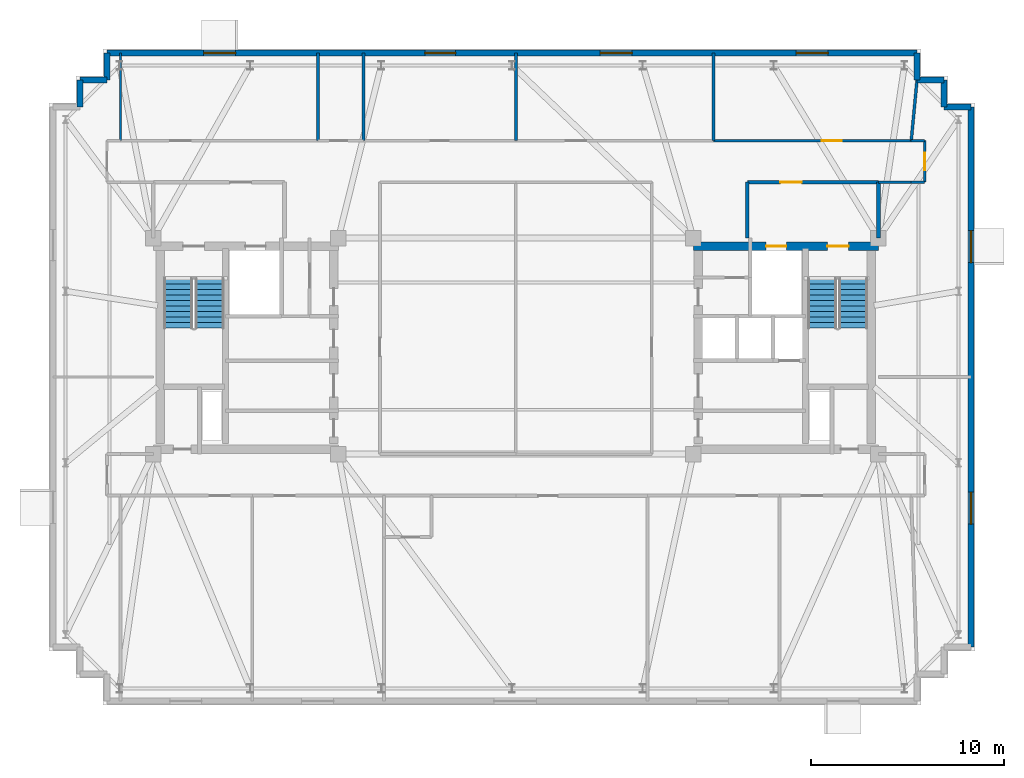
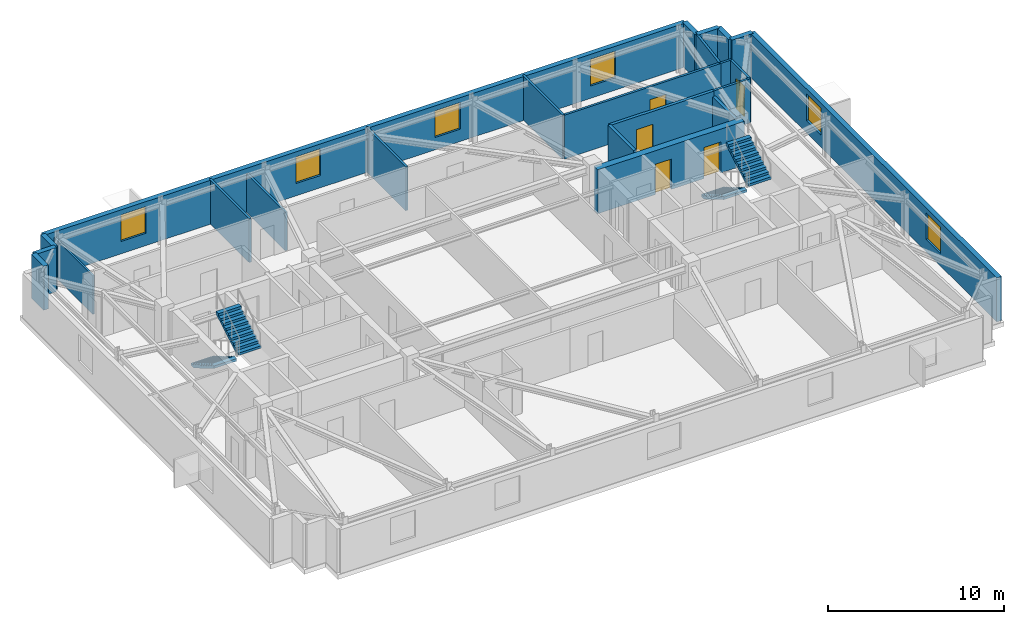
# One storey, part 8 of 10: 24 walls, 6 windows, 5 doors, 4 stair flights, 11 openings, 2 elements without a shape of their own.
"""IFC4 building model written with IfcOpenShell, lengths in metres."""

from ifc_helpers import new_model, si_unit, direction, frame, frame_2d, origin, place, context, subcontext, project, spatial, polyline, rectangle, outline, extrude, material, layer, layer_set, type_object, element, fill, aggregate, save


model = new_model("IFC4")

# Units and contexts
model_context = context("Model", 3, precision=1e-05, world=origin(), true_north=direction((0.0, 1.0)))
body_context = subcontext(model_context, "Body", "Model", "MODEL_VIEW")
ifc_project = project(units=[si_unit("LENGTHUNIT", "METRE"), si_unit("AREAUNIT", "SQUARE_METRE"), si_unit("VOLUMEUNIT", "CUBIC_METRE"), si_unit("PLANEANGLEUNIT", "RADIAN"), si_unit("MASSUNIT", "GRAM", prefix="KILO")], contexts=[model_context])

# Site, building, storey
site_placement = place(None, origin())
site = spatial("IfcSite", under=ifc_project, at=site_placement, CompositionType="ELEMENT")
building_placement = place(site_placement, origin())
building = spatial("IfcBuilding", under=site, at=building_placement, Name="Qobustan Lattice House", CompositionType="ELEMENT")
storey_placement = place(building_placement, frame((0.0, 0.0, 238.35009765625)))
storey = spatial("IfcBuildingStorey", under=building, at=storey_placement, Name="L67", CompositionType="ELEMENT", Elevation=238.35009765625)

# Wall, openings, doors
ifc_material_1 = material(Name="Concrete C50/60", Category="concrete")
ifc_layer_1 = layer(ifc_material_1, 0.43994140625)
ifc_layer_set_1 = layer_set([ifc_layer_1], Name="Concrete C50/60")
wall_type_1 = type_object("IfcWallType", Name="WAL-CORE-440", PredefinedType="SHEAR", material=ifc_layer_set_1)
wall_1_placement = place(storey_placement, frame((9.199951171875, 5.179931640625, 0.0), z_axis=(0.0, 0.0, 1.0), x_axis=(1.0, 0.0, 0.0)))
wall_1 = element("IfcWall", 1, at=wall_1_placement, inside=storey, type_object=wall_type_1, Name="L67 split-core shear wall CE-N", PredefinedType="SHEAR", context=body_context, shape_type="SweptSolid", body=[
    extrude(rectangle(XDim=9.60009765625, YDim=0.43994140625, at=frame_2d((4.800048828125, 0.0))), origin(), (0.0, 0.0, 1.0), 3.039794921875),
])
opening_1_placement = place(wall_1_placement, frame((6.949951171875, 0.0, 0.0)))
opening_1 = element("IfcOpeningElement", 2, at=opening_1_placement, cuts=wall_1, Name="Opening SD-01", PredefinedType="OPENING", context=body_context, shape_type="SweptSolid", body=[
    extrude(rectangle(XDim=1.10009765625, YDim=2.14990234375, at=frame_2d((0.550048828125, 1.074951171875))), frame((0.0, 0.22998046875, 0.0), z_axis=(0.0, -1.0, 0.0), x_axis=(1.0, 0.0, 0.0)), (0.0, 0.0, 1.0), 0.4599609375),
])
opening_2_placement = place(wall_1_placement, frame((3.77490234375, 0.0, 0.0)))
opening_2 = element("IfcOpeningElement", 3, at=opening_2_placement, cuts=wall_1, Name="Opening LD-01", PredefinedType="OPENING", context=body_context, shape_type="SweptSolid", body=[
    extrude(rectangle(XDim=1.050048828125, YDim=2.10009765625, at=frame_2d((0.52490234375, 1.050048828125))), frame((0.0, 0.22998046875, 0.0), z_axis=(0.0, -1.0, 0.0), x_axis=(1.0, 0.0, 0.0)), (0.0, 0.0, 1.0), 0.4599609375),
])
ifc_material_2 = material(Name="Persian walnut timber and steel frame door", Category="steel")
door_type_1 = type_object("IfcDoorType", Name="DOR-LIFT-LD-1050x2100", OperationType="NOTDEFINED", PredefinedType="DOOR", material=ifc_material_2)
door_1_placement = place(opening_2_placement, origin())
door_1 = element("IfcDoor", 4, at=door_1_placement, inside=storey, type_object=door_type_1, Name="L67 firefighting lift FF-E landing door", OperationType="DOUBLE_DOOR_SLIDING", OverallHeight=2.10009765625, OverallWidth=1.050048828125, PredefinedType="DOOR", context=body_context, shape_type="SweptSolid", body=[
    extrude(rectangle(XDim=1.050048828125, YDim=2.10009765625, at=frame_2d((0.52490234375, 1.050048828125))), frame((0.0, 0.02490234375, 0.0), z_axis=(0.0, -1.0, 0.0), x_axis=(1.0, 0.0, 0.0)), (0.0, 0.0, 1.0), 0.050048828125),
])
fill(opening_2, door_1)
ifc_material_3 = material(Name="Persian walnut timber and steel frame door", Category="steel")
door_type_2 = type_object("IfcDoorType", Name="DOR-STAIR-FD-1100x2150", OperationType="NOTDEFINED", PredefinedType="DOOR", material=ifc_material_3)
door_2_placement = place(opening_1_placement, origin())
door_2 = element("IfcDoor", 5, at=door_2_placement, inside=storey, type_object=door_type_2, Name="L67 exit stair ST-E1 fire door", OperationType="SINGLE_SWING_LEFT", OverallHeight=2.14990234375, OverallWidth=1.10009765625, PredefinedType="DOOR", context=body_context, shape_type="SweptSolid", body=[
    extrude(rectangle(XDim=1.10009765625, YDim=2.14990234375, at=frame_2d((0.550048828125, 1.074951171875))), frame((0.0, 0.02490234375, 0.0), z_axis=(0.0, -1.0, 0.0), x_axis=(1.0, 0.0, 0.0)), (0.0, 0.0, 1.0), 0.050048828125),
])
fill(opening_1, door_2)

# Walls
ifc_material_4 = material(Name="Precast concrete C40/50", Category="concrete")
ifc_layer_2 = layer(ifc_material_4, 0.320068359375)
ifc_layer_set_2 = layer_set([ifc_layer_2], Name="Precast concrete C40/50")
wall_type_2 = type_object("IfcWallType", Name="WAL-EXT-STONE-320", PredefinedType="SOLIDWALL", material=ifc_layer_set_2)
for number, where, z_axis, x_axis, name in (
    (6, (-22.60009765625, 12.39990234375, 0.0), (0.0, 0.0, 1.0), (0.0, 1.0, 0.0), "L67 exterior limestone-clad wall 7"),
    (7, (-22.60009765625, 13.800048828125, 0.0), (0.0, 0.0, 1.0), (1.0, 0.0, 0.0), "L67 exterior limestone-clad wall 8"),
):
    element("IfcWall", number, at=place(storey_placement, frame(where, z_axis=z_axis, x_axis=x_axis)), inside=storey, type_object=wall_type_2, Name=name, PredefinedType="SOLIDWALL", context=body_context, shape_type="SweptSolid", body=[
        extrude(rectangle(XDim=1.400146484375, YDim=0.320068359375, at=frame_2d((0.7001953125, 0.0))), origin(), (0.0, 0.0, 1.0), 3.039794921875),
    ])
wall_2_placement = place(storey_placement, frame((-21.199951171875, 13.800048828125, 0.0), z_axis=(0.0, 0.0, 1.0), x_axis=(0.0, 1.0, 0.0)))
element("IfcWall", 8, at=wall_2_placement, inside=storey, type_object=wall_type_2, Name="L67 exterior limestone-clad wall 9", PredefinedType="SOLIDWALL", context=body_context, shape_type="SweptSolid", body=[
    extrude(rectangle(XDim=1.39990234375, YDim=0.320068359375, at=frame_2d((0.699951171875, 0.0))), origin(), (0.0, 0.0, 1.0), 3.039794921875),
])

# Wall, openings, windows
wall_3_placement = place(storey_placement, frame((-21.199951171875, 15.199951171875, 0.0), z_axis=(0.0, 0.0, 1.0), x_axis=(1.0, 0.0, 0.0)))
wall_3 = element("IfcWall", 9, at=wall_3_placement, inside=storey, type_object=wall_type_2, Name="L67 exterior limestone-clad wall 10", PredefinedType="SOLIDWALL", context=body_context, shape_type="SweptSolid", body=[
    extrude(rectangle(XDim=42.0, YDim=0.320068359375, at=frame_2d((21.0, 0.0))), origin(), (0.0, 0.0, 1.0), 3.039794921875),
])
opening_3_placement = place(wall_3_placement, frame((5.014892578125, 0.0, 0.85009765625)))
opening_3 = element("IfcOpeningElement", 10, at=opening_3_placement, cuts=wall_3, Name="Opening WN-09", PredefinedType="OPENING", context=body_context, shape_type="SweptSolid", body=[
    extrude(rectangle(XDim=1.64990234375, YDim=1.85009765625, at=frame_2d((0.824951171875, 0.925048828125))), frame((0.0, 0.169921875, 0.0), z_axis=(0.0, -1.0, 0.0), x_axis=(1.0, 0.0, 0.0)), (0.0, 0.0, 1.0), 0.340087890625),
])
opening_4_placement = place(wall_3_placement, frame((16.47998046875, 0.0, 0.85009765625)))
opening_4 = element("IfcOpeningElement", 11, at=opening_4_placement, cuts=wall_3, Name="Opening WN-13", PredefinedType="OPENING", context=body_context, shape_type="SweptSolid", body=[
    extrude(rectangle(XDim=1.60009765625, YDim=1.85009765625, at=frame_2d((0.800048828125, 0.925048828125))), frame((0.0, 0.169921875, 0.0), z_axis=(0.0, -1.0, 0.0), x_axis=(1.0, 0.0, 0.0)), (0.0, 0.0, 1.0), 0.340087890625),
])
opening_5_placement = place(wall_3_placement, frame((25.574951171875, 0.0, 0.85009765625)))
opening_5 = element("IfcOpeningElement", 12, at=opening_5_placement, cuts=wall_3, Name="Opening WN-09", PredefinedType="OPENING", context=body_context, shape_type="SweptSolid", body=[
    extrude(rectangle(XDim=1.64990234375, YDim=1.85009765625, at=frame_2d((0.824951171875, 0.925048828125))), frame((0.0, 0.169921875, 0.0), z_axis=(0.0, -1.0, 0.0), x_axis=(1.0, 0.0, 0.0)), (0.0, 0.0, 1.0), 0.340087890625),
])
opening_6_placement = place(wall_3_placement, frame((35.735107421875, 0.0, 0.85009765625)))
opening_6 = element("IfcOpeningElement", 13, at=opening_6_placement, cuts=wall_3, Name="Opening WN-09", PredefinedType="OPENING", context=body_context, shape_type="SweptSolid", body=[
    extrude(rectangle(XDim=1.64990234375, YDim=1.85009765625, at=frame_2d((0.824951171875, 0.925048828125))), frame((0.0, 0.169921875, 0.0), z_axis=(0.0, -1.0, 0.0), x_axis=(1.0, 0.0, 0.0)), (0.0, 0.0, 1.0), 0.340087890625),
])
ifc_material_5 = material(Name="Double-glazed low-E aluminium window", Category="aluminium")
window_type_1 = type_object("IfcWindowType", Name="WIN-BED-1600x1850", PartitioningType="SINGLE_PANEL", PredefinedType="WINDOW", material=ifc_material_5)
window_1_placement = place(opening_4_placement, origin())
window_1 = element("IfcWindow", 14, at=window_1_placement, inside=storey, type_object=window_type_1, Name="L67 Laundry utility room window", OverallHeight=1.85009765625, OverallWidth=1.60009765625, PartitioningType="SINGLE_PANEL", PredefinedType="WINDOW", context=body_context, shape_type="SweptSolid", body=[
    extrude(rectangle(XDim=1.60009765625, YDim=1.85009765625, at=frame_2d((0.800048828125, 0.925048828125))), frame((0.0, 0.030029296875, 0.0), z_axis=(0.0, -1.0, 0.0), x_axis=(1.0, 0.0, 0.0)), (0.0, 0.0, 1.0), 0.06005859375),
])
fill(opening_4, window_1)
ifc_material_6 = material(Name="Double-glazed low-E aluminium window", Category="aluminium")
window_type_2 = type_object("IfcWindowType", Name="WIN-STU-1650x1850", PartitioningType="SINGLE_PANEL", PredefinedType="WINDOW", material=ifc_material_6)
window_2_placement = place(opening_3_placement, origin())
window_2 = element("IfcWindow", 15, at=window_2_placement, inside=storey, type_object=window_type_2, Name="L67 Focus study room N1 window", OverallHeight=1.85009765625, OverallWidth=1.64990234375, PartitioningType="SINGLE_PANEL", PredefinedType="WINDOW", context=body_context, shape_type="SweptSolid", body=[
    extrude(rectangle(XDim=1.64990234375, YDim=1.85009765625, at=frame_2d((0.824951171875, 0.925048828125))), frame((0.0, 0.030029296875, 0.0), z_axis=(0.0, -1.0, 0.0), x_axis=(1.0, 0.0, 0.0)), (0.0, 0.0, 1.0), 0.06005859375),
])
fill(opening_3, window_2)
window_3_placement = place(opening_5_placement, origin())
window_3 = element("IfcWindow", 16, at=window_3_placement, inside=storey, type_object=window_type_2, Name="L67 Focus study room N3 window", OverallHeight=1.85009765625, OverallWidth=1.64990234375, PartitioningType="SINGLE_PANEL", PredefinedType="WINDOW", context=body_context, shape_type="SweptSolid", body=[
    extrude(rectangle(XDim=1.64990234375, YDim=1.85009765625, at=frame_2d((0.824951171875, 0.925048828125))), frame((0.0, 0.030029296875, 0.0), z_axis=(0.0, -1.0, 0.0), x_axis=(1.0, 0.0, 0.0)), (0.0, 0.0, 1.0), 0.06005859375),
])
fill(opening_5, window_3)
window_4_placement = place(opening_6_placement, origin())
window_4 = element("IfcWindow", 17, at=window_4_placement, inside=storey, type_object=window_type_2, Name="L67 Focus study room N4 window", OverallHeight=1.85009765625, OverallWidth=1.64990234375, PartitioningType="SINGLE_PANEL", PredefinedType="WINDOW", context=body_context, shape_type="SweptSolid", body=[
    extrude(rectangle(XDim=1.64990234375, YDim=1.85009765625, at=frame_2d((0.824951171875, 0.925048828125))), frame((0.0, 0.030029296875, 0.0), z_axis=(0.0, -1.0, 0.0), x_axis=(1.0, 0.0, 0.0)), (0.0, 0.0, 1.0), 0.06005859375),
])
fill(opening_6, window_4)

# Walls
for number, where, z_axis, x_axis, name in (
    (18, (20.800048828125, 15.199951171875, 0.0), (0.0, 0.0, 1.0), (0.0, -1.0, 0.0), "L67 exterior limestone-clad wall 11"),
    (19, (20.800048828125, 13.800048828125, 0.0), (0.0, 0.0, 1.0), (1.0, 0.0, 0.0), "L67 exterior limestone-clad wall 12"),
):
    element("IfcWall", number, at=place(storey_placement, frame(where, z_axis=z_axis, x_axis=x_axis)), inside=storey, type_object=wall_type_2, Name=name, PredefinedType="SOLIDWALL", context=body_context, shape_type="SweptSolid", body=[
        extrude(rectangle(XDim=1.39990234375, YDim=0.320068359375, at=frame_2d((0.699951171875, 0.0))), origin(), (0.0, 0.0, 1.0), 3.039794921875),
    ])
for number, where, z_axis, x_axis, name in (
    (20, (22.199951171875, 13.800048828125, 0.0), (0.0, 0.0, 1.0), (0.0, -1.0, 0.0), "L67 exterior limestone-clad wall 13"),
    (21, (22.199951171875, 12.39990234375, 0.0), (0.0, 0.0, 1.0), (1.0, 0.0, 0.0), "L67 exterior limestone-clad wall 14"),
):
    element("IfcWall", number, at=place(storey_placement, frame(where, z_axis=z_axis, x_axis=x_axis)), inside=storey, type_object=wall_type_2, Name=name, PredefinedType="SOLIDWALL", context=body_context, shape_type="SweptSolid", body=[
        extrude(rectangle(XDim=1.400146484375, YDim=0.320068359375, at=frame_2d((0.7001953125, 0.0))), origin(), (0.0, 0.0, 1.0), 3.039794921875),
    ])

# Wall, openings, windows
wall_4_placement = place(storey_placement, frame((23.60009765625, 12.39990234375, 0.0), z_axis=(0.0, 0.0, 1.0), x_axis=(0.0, -1.0, 0.0)))
wall_4 = element("IfcWall", 22, at=wall_4_placement, inside=storey, type_object=wall_type_2, Name="L67 exterior limestone-clad wall 15", PredefinedType="SOLIDWALL", context=body_context, shape_type="SweptSolid", body=[
    extrude(rectangle(XDim=28.0, YDim=0.320068359375, at=frame_2d((14.0, 0.0))), origin(), (0.0, 0.0, 1.0), 3.039794921875),
])
opening_7_placement = place(wall_4_placement, frame((6.4150390625, 0.0, 0.85009765625)))
opening_7 = element("IfcOpeningElement", 23, at=opening_7_placement, cuts=wall_4, Name="Opening WN-09", PredefinedType="OPENING", context=body_context, shape_type="SweptSolid", body=[
    extrude(rectangle(XDim=1.64990234375, YDim=1.85009765625, at=frame_2d((0.824951171875, 0.925048828125))), frame((0.0, 0.169921875, 0.0), z_axis=(0.0, -1.0, 0.0), x_axis=(1.0, 0.0, 0.0)), (0.0, 0.0, 1.0), 0.340087890625),
])
opening_8_placement = place(wall_4_placement, frame((19.97509765625, 0.0, 0.85009765625)))
opening_8 = element("IfcOpeningElement", 24, at=opening_8_placement, cuts=wall_4, Name="Opening WN-09", PredefinedType="OPENING", context=body_context, shape_type="SweptSolid", body=[
    extrude(rectangle(XDim=1.64990234375, YDim=1.85009765625, at=frame_2d((0.824951171875, 0.925048828125))), frame((0.0, 0.169921875, 0.0), z_axis=(0.0, -1.0, 0.0), x_axis=(1.0, 0.0, 0.0)), (0.0, 0.0, 1.0), 0.340087890625),
])
window_5_placement = place(opening_7_placement, origin())
window_5 = element("IfcWindow", 25, at=window_5_placement, inside=storey, type_object=window_type_2, Name="L67 Collaborative tutorial room window", OverallHeight=1.85009765625, OverallWidth=1.64990234375, PartitioningType="SINGLE_PANEL", PredefinedType="WINDOW", context=body_context, shape_type="SweptSolid", body=[
    extrude(rectangle(XDim=1.64990234375, YDim=1.85009765625, at=frame_2d((0.824951171875, 0.925048828125))), frame((0.0, 0.030029296875, 0.0), z_axis=(0.0, -1.0, 0.0), x_axis=(1.0, 0.0, 0.0)), (0.0, 0.0, 1.0), 0.06005859375),
])
fill(opening_7, window_5)
window_6_placement = place(opening_8_placement, origin())
window_6 = element("IfcWindow", 26, at=window_6_placement, inside=storey, type_object=window_type_2, Name="L67 Fellows reading room window", OverallHeight=1.85009765625, OverallWidth=1.64990234375, PartitioningType="SINGLE_PANEL", PredefinedType="WINDOW", context=body_context, shape_type="SweptSolid", body=[
    extrude(rectangle(XDim=1.64990234375, YDim=1.85009765625, at=frame_2d((0.824951171875, 0.925048828125))), frame((0.0, 0.030029296875, 0.0), z_axis=(0.0, -1.0, 0.0), x_axis=(1.0, 0.0, 0.0)), (0.0, 0.0, 1.0), 0.06005859375),
])
fill(opening_8, window_6)

# Wall
ifc_material_7 = material(Name="Lightweight acoustic stud partition", Category="gypsum")
ifc_layer_3 = layer(ifc_material_7, 0.125)
ifc_layer_set_3 = layer_set([ifc_layer_3], Name="Lightweight acoustic stud partition")
wall_type_3 = type_object("IfcWallType", Name="WAL-PART-125", PredefinedType="PARTITIONING", material=ifc_layer_set_3)
wall_5_placement = place(storey_placement, frame((-20.5, 15.199951171875, 0.0), z_axis=(0.0, 0.0, 1.0), x_axis=(0.0, -1.0, 0.0)))
element("IfcWall", 27, at=wall_5_placement, inside=storey, type_object=wall_type_3, Name="L67 interior partition 67", PredefinedType="PARTITIONING", context=body_context, shape_type="SweptSolid", body=[
    extrude(rectangle(XDim=4.550048828125, YDim=0.125, at=frame_2d((2.27490234375, 0.0))), origin(), (0.0, 0.0, 1.0), 2.664794921875),
])

# Wall, opening, door
ifc_material_8 = material(Name="Acoustic twin-stud gypsum partition", Category="gypsum")
ifc_layer_4 = layer(ifc_material_8, 0.14990234375)
ifc_layer_set_4 = layer_set([ifc_layer_4], Name="Acoustic twin-stud gypsum partition")
wall_type_4 = type_object("IfcWallType", Name="WAL-PART-150", PredefinedType="PARTITIONING", material=ifc_layer_set_4)
wall_6_placement = place(storey_placement, frame((21.199951171875, 10.64990234375, 0.0), z_axis=(0.0, 0.0, 1.0), x_axis=(0.0, -1.0, 0.0)))
wall_6 = element("IfcWall", 28, at=wall_6_placement, inside=storey, type_object=wall_type_4, Name="L67 interior partition 39", PredefinedType="PARTITIONING", context=body_context, shape_type="SweptSolid", body=[
    extrude(rectangle(XDim=2.14990234375, YDim=0.14990234375, at=frame_2d((1.074951171875, 0.0))), origin(), (0.0, 0.0, 1.0), 3.039794921875),
])
opening_9_placement = place(wall_6_placement, frame((0.625, 0.0, 0.0)))
opening_9 = element("IfcOpeningElement", 29, at=opening_9_placement, cuts=wall_6, Name="Opening WD-01", PredefinedType="OPENING", context=body_context, shape_type="SweptSolid", body=[
    extrude(rectangle(XDim=0.89990234375, YDim=2.10009765625, at=frame_2d((0.449951171875, 1.050048828125))), frame((0.0, 0.0849609375, 0.0), z_axis=(0.0, -1.0, 0.0), x_axis=(1.0, 0.0, 0.0)), (0.0, 0.0, 1.0), 0.169921875),
])
ifc_material_9 = material(Name="Persian walnut timber and steel frame door", Category="steel")
door_type_3 = type_object("IfcDoorType", Name="DOR-WET-900x2100", OperationType="NOTDEFINED", PredefinedType="DOOR", material=ifc_material_9)
door_3_placement = place(opening_9_placement, origin())
door_3 = element("IfcDoor", 30, at=door_3_placement, inside=storey, type_object=door_type_3, Name="L67 North-east floor corridor to Collaborative tutorial room door", OperationType="SINGLE_SWING_LEFT", OverallHeight=2.10009765625, OverallWidth=0.89990234375, PredefinedType="DOOR", context=body_context, shape_type="SweptSolid", body=[
    extrude(rectangle(XDim=0.89990234375, YDim=2.10009765625, at=frame_2d((0.449951171875, 1.050048828125))), frame((0.0, 0.02490234375, 0.0), z_axis=(0.0, -1.0, 0.0), x_axis=(1.0, 0.0, 0.0)), (0.0, 0.0, 1.0), 0.050048828125),
])
fill(opening_9, door_3)

# Walls
wall_7_placement = place(storey_placement, frame((20.5, 8.5, 0.0), z_axis=(0.0, 0.0, 1.0), x_axis=(-1.0, 0.0, 0.0)))
element("IfcWall", 31, at=wall_7_placement, inside=storey, type_object=wall_type_4, Name="L67 interior partition 40", PredefinedType="PARTITIONING", context=body_context, shape_type="SweptSolid", body=[
    extrude(rectangle(XDim=1.699951171875, YDim=0.14990234375, at=frame_2d((0.85009765625, 0.0))), origin(), (0.0, 0.0, 1.0), 3.039794921875),
])
for number, where, z_axis, x_axis, name in (
    (32, (20.5, 10.64990234375, 0.0), (0.0, 0.0, 1.0), (1.0, 0.0, 0.0), "L67 interior partition 41"),
    (33, (21.199951171875, 8.5, 0.0), (0.0, 0.0, 1.0), (-1.0, 0.0, 0.0), "L67 interior partition 42"),
):
    element("IfcWall", number, at=place(storey_placement, frame(where, z_axis=z_axis, x_axis=x_axis)), inside=storey, type_object=wall_type_4, Name=name, PredefinedType="PARTITIONING", context=body_context, shape_type="SweptSolid", body=[
        extrude(rectangle(XDim=0.699951171875, YDim=0.14990234375, at=frame_2d((0.35009765625, 0.0))), origin(), (0.0, 0.0, 1.0), 3.039794921875),
    ])

# Wall, opening, door
wall_8_placement = place(storey_placement, frame((10.25, 10.64990234375, 0.0), z_axis=(0.0, 0.0, 1.0), x_axis=(1.0, 0.0, 0.0)))
wall_8 = element("IfcWall", 34, at=wall_8_placement, inside=storey, type_object=wall_type_4, Name="L67 interior partition 44", PredefinedType="PARTITIONING", context=body_context, shape_type="SweptSolid", body=[
    extrude(rectangle(XDim=10.25, YDim=0.14990234375, at=frame_2d((5.125, 0.0))), origin(), (0.0, 0.0, 1.0), 3.039794921875),
])
opening_10_placement = place(wall_8_placement, frame((5.60498046875, 0.0, 0.0)))
opening_10 = element("IfcOpeningElement", 35, at=opening_10_placement, cuts=wall_8, Name="Opening ID-02", PredefinedType="OPENING", context=body_context, shape_type="SweptSolid", body=[
    extrude(rectangle(XDim=1.050048828125, YDim=2.14990234375, at=frame_2d((0.52490234375, 1.074951171875))), frame((0.0, 0.0849609375, 0.0), z_axis=(0.0, -1.0, 0.0), x_axis=(1.0, 0.0, 0.0)), (0.0, 0.0, 1.0), 0.169921875),
])
ifc_material_10 = material(Name="Persian walnut timber and steel frame door", Category="steel")
door_type_4 = type_object("IfcDoorType", Name="DOR-STUDY-1050x2150", OperationType="NOTDEFINED", PredefinedType="DOOR", material=ifc_material_10)
door_4_placement = place(opening_10_placement, origin())
door_4 = element("IfcDoor", 36, at=door_4_placement, inside=storey, type_object=door_type_4, Name="L67 North-east floor corridor to Focus study room N4 door", OperationType="SINGLE_SWING_LEFT", OverallHeight=2.14990234375, OverallWidth=1.050048828125, PredefinedType="DOOR", context=body_context, shape_type="SweptSolid", body=[
    extrude(rectangle(XDim=1.050048828125, YDim=2.14990234375, at=frame_2d((0.52490234375, 1.074951171875))), frame((0.0, 0.02490234375, 0.0), z_axis=(0.0, -1.0, 0.0), x_axis=(1.0, 0.0, 0.0)), (0.0, 0.0, 1.0), 0.050048828125),
])
fill(opening_10, door_4)

# Walls
wall_9_placement = place(storey_placement, frame((20.5, 10.64990234375, 0.0), z_axis=(0.0, 0.0, 1.0), x_axis=(0.094820015289, 0.99549443228, 0.0)))
element("IfcWall", 37, at=wall_9_placement, inside=storey, type_object=wall_type_4, Name="L67 interior partition 70", PredefinedType="PARTITIONING", context=body_context, shape_type="SweptSolid", body=[
    extrude(rectangle(XDim=3.164306640625, YDim=0.14990234375, at=frame_2d((1.58203125, 0.0))), origin(), (0.0, 0.0, 1.0), 3.039794921875),
])
for number, where, z_axis, x_axis, name in (
    (38, (0.0, 15.199951171875, 0.0), (0.0, 0.0, 1.0), (0.0, -1.0, 0.0), "L67 interior partition 73"),
    (39, (10.25, 15.199951171875, 0.0), (0.0, 0.0, 1.0), (0.0, -1.0, 0.0), "L67 interior partition 74"),
):
    element("IfcWall", number, at=place(storey_placement, frame(where, z_axis=z_axis, x_axis=x_axis)), inside=storey, type_object=wall_type_4, Name=name, PredefinedType="PARTITIONING", context=body_context, shape_type="SweptSolid", body=[
        extrude(rectangle(XDim=4.550048828125, YDim=0.14990234375, at=frame_2d((2.27490234375, 0.0))), origin(), (0.0, 0.0, 1.0), 3.039794921875),
    ])

# Wall, opening, door
ifc_material_11 = material(Name="Two-hour gypsum fireboard acoustic partition", Category="gypsum")
ifc_layer_5 = layer(ifc_material_11, 0.199951171875)
ifc_layer_set_5 = layer_set([ifc_layer_5], Name="Two-hour gypsum fireboard acoustic partition")
wall_type_5 = type_object("IfcWallType", Name="WAL-PROT-200", PredefinedType="PARTITIONING", material=ifc_layer_set_5)
wall_10_placement = place(storey_placement, frame((18.800048828125, 8.5, 0.0), z_axis=(0.0, 0.0, 1.0), x_axis=(-1.0, 0.0, 0.0)))
wall_10 = element("IfcWall", 40, at=wall_10_placement, inside=storey, type_object=wall_type_5, Name="L67 interior partition 18", PredefinedType="PARTITIONING", context=body_context, shape_type="SweptSolid", body=[
    extrude(rectangle(XDim=6.800048828125, YDim=0.199951171875, at=frame_2d((3.39990234375, 0.0))), origin(), (0.0, 0.0, 1.0), 3.039794921875),
])
opening_11_placement = place(wall_10_placement, frame((3.985107421875, 0.0, 0.0)))
opening_11 = element("IfcOpeningElement", 41, at=opening_11_placement, cuts=wall_10, Name="Opening SD-01", PredefinedType="OPENING", context=body_context, shape_type="SweptSolid", body=[
    extrude(rectangle(XDim=1.10009765625, YDim=2.14990234375, at=frame_2d((0.550048828125, 1.074951171875))), frame((0.0, 0.10986328125, 0.0), z_axis=(0.0, -1.0, 0.0), x_axis=(1.0, 0.0, 0.0)), (0.0, 0.0, 1.0), 0.219970703125),
])
door_5_placement = place(opening_11_placement, origin())
door_5 = element("IfcDoor", 42, at=door_5_placement, inside=storey, type_object=door_type_2, Name="L67 East firefighting lift lobby to North-east floor corridor door", OperationType="SINGLE_SWING_RIGHT", OverallHeight=2.14990234375, OverallWidth=1.10009765625, PredefinedType="DOOR", context=body_context, shape_type="SweptSolid", body=[
    extrude(rectangle(XDim=1.10009765625, YDim=2.14990234375, at=frame_2d((0.550048828125, 1.074951171875))), frame((0.0, 0.02490234375, 0.0), z_axis=(0.0, -1.0, 0.0), x_axis=(1.0, 0.0, 0.0)), (0.0, 0.0, 1.0), 0.050048828125),
])
fill(opening_11, door_5)

# Walls
wall_11_placement = place(storey_placement, frame((12.0, 8.5, 0.0), z_axis=(0.0, 0.0, 1.0), x_axis=(0.0, -1.0, 0.0)))
element("IfcWall", 43, at=wall_11_placement, inside=storey, type_object=wall_type_5, Name="L67 interior partition 19", PredefinedType="PARTITIONING", context=body_context, shape_type="SweptSolid", body=[
    extrude(rectangle(XDim=2.89990234375, YDim=0.199951171875, at=frame_2d((1.449951171875, 0.0))), origin(), (0.0, 0.0, 1.0), 3.039794921875),
])
wall_12_placement = place(storey_placement, frame((18.800048828125, 5.60009765625, 0.0), z_axis=(0.0, 0.0, 1.0), x_axis=(0.0, 1.0, 0.0)))
element("IfcWall", 44, at=wall_12_placement, inside=storey, type_object=wall_type_5, Name="L67 interior partition 20", PredefinedType="PARTITIONING", context=body_context, shape_type="SweptSolid", body=[
    extrude(rectangle(XDim=2.89990234375, YDim=0.199951171875, at=frame_2d((1.449951171875, 0.0))), origin(), (0.0, 0.0, 1.0), 2.664794921875),
])
ifc_material_12 = material(Name="Moisture-resistant acoustic plumbing wall", Category="gypsum")
ifc_layer_6 = layer(ifc_material_12, 0.14990234375)
ifc_layer_set_6 = layer_set([ifc_layer_6], Name="Moisture-resistant acoustic plumbing wall")
wall_type_6 = type_object("IfcWallType", Name="WAL-WET-150", PredefinedType="PLUMBINGWALL", material=ifc_layer_set_6)
wall_13_placement = place(storey_placement, frame((-10.25, 15.199951171875, 0.0), z_axis=(0.0, 0.0, 1.0), x_axis=(0.0, -1.0, 0.0)))
element("IfcWall", 45, at=wall_13_placement, inside=storey, type_object=wall_type_6, Name="L67 interior partition 71", PredefinedType="PLUMBINGWALL", context=body_context, shape_type="SweptSolid", body=[
    extrude(rectangle(XDim=4.550048828125, YDim=0.14990234375, at=frame_2d((2.27490234375, 0.0))), origin(), (0.0, 0.0, 1.0), 3.039794921875),
])
wall_14_placement = place(storey_placement, frame((-7.89990234375, 15.199951171875, 0.0), z_axis=(0.0, 0.0, 1.0), x_axis=(0.0, -1.0, 0.0)))
element("IfcWall", 46, at=wall_14_placement, inside=storey, type_object=wall_type_6, Name="L67 interior partition 72", PredefinedType="PLUMBINGWALL", context=body_context, shape_type="SweptSolid", body=[
    extrude(rectangle(XDim=4.550048828125, YDim=0.14990234375, at=frame_2d((2.27490234375, 0.0))), origin(), (0.0, 0.0, 1.0), 2.664794921875),
])

# Stair, stair flights
ifc_material_13 = material(Name="Concrete C40/50", Category="concrete")
stair_type = type_object("IfcStairType", Name="STR-CORE-DOGLEG", PredefinedType="HALF_TURN_STAIR", material=ifc_material_13)
stair_1_placement = place(storey_placement, origin())
stair_1 = element("IfcStair", 47, at=stair_1_placement, inside=storey, type_object=stair_type, Name="L67 West protected exit stair ST-W1", PredefinedType="HALF_TURN_STAIR")
ifc_material_14 = material(Name="Concrete C40/50", Category="concrete")
stair_flight_type = type_object("IfcStairFlightType", Name="SFL-RC-1500", PredefinedType="STRAIGHT", material=ifc_material_14)
stair_flight_1_placement = place(storey_placement, frame((-17.5, 3.5, 0.0), z_axis=(0.0, 0.0, 1.0), x_axis=(0.0, -1.0, 0.0)))
stair_flight_1 = element("IfcStairFlight", 48, at=stair_flight_1_placement, type_object=stair_flight_type, Name="ST-W1 flight 1", NumberOfRisers=10, NumberOfTreads=9, PredefinedType="STRAIGHT", RiserHeight=0.1675, TreadLength=0.285, context=body_context, shape_type="SweptSolid", body=[
    extrude(outline(polyline([(0.0, 0.0), (0.0, 0.16748046875), (0.284912109375, 0.16748046875), (0.284912109375, 0.3349609375), (0.570068359375, 0.3349609375), (0.570068359375, 0.50244140625), (0.85498046875, 0.50244140625), (0.85498046875, 0.669921875), (1.139892578125, 0.669921875), (1.139892578125, 0.83740234375), (1.425048828125, 0.83740234375), (1.425048828125, 1.0048828125), (1.7099609375, 1.0048828125), (1.7099609375, 1.172607421875), (1.9951171875, 1.172607421875), (1.9951171875, 1.340087890625), (2.280029296875, 1.340087890625), (2.280029296875, 1.507568359375), (2.56494140625, 1.507568359375), (2.56494140625, 1.675048828125), (2.56494140625, 1.333740234375), (0.2958984375, 0.0), (0.0, 0.0)])), frame((0.0, 0.75, 0.0), z_axis=(0.0, -1.0, 0.0), x_axis=(1.0, 0.0, 0.0)), (0.0, 0.0, 1.0), 1.5),
])
stair_flight_2_placement = place(storey_placement, frame((-15.8798828125, 0.93505859375, 1.6748046875), z_axis=(0.0, 0.0, 1.0), x_axis=(0.0, 1.0, 0.0)))
stair_flight_2 = element("IfcStairFlight", 49, at=stair_flight_2_placement, type_object=stair_flight_type, Name="ST-W1 flight 2", NumberOfRisers=10, NumberOfTreads=9, PredefinedType="STRAIGHT", RiserHeight=0.1675, TreadLength=0.285, context=body_context, shape_type="SweptSolid", body=[
    extrude(outline(polyline([(0.0, 0.0), (0.0, 0.16748046875), (0.284912109375, 0.16748046875), (0.284912109375, 0.3349609375), (0.570068359375, 0.3349609375), (0.570068359375, 0.50244140625), (0.85498046875, 0.50244140625), (0.85498046875, 0.669921875), (1.139892578125, 0.669921875), (1.139892578125, 0.83740234375), (1.425048828125, 0.83740234375), (1.425048828125, 1.0048828125), (1.7099609375, 1.0048828125), (1.7099609375, 1.172607421875), (1.9951171875, 1.172607421875), (1.9951171875, 1.340087890625), (2.280029296875, 1.340087890625), (2.280029296875, 1.507568359375), (2.56494140625, 1.507568359375), (2.56494140625, 1.675048828125), (2.56494140625, 1.333740234375), (0.2958984375, 0.0), (0.0, 0.0)])), frame((0.0, 0.75, 0.0), z_axis=(0.0, -1.0, 0.0), x_axis=(1.0, 0.0, 0.0)), (0.0, 0.0, 1.0), 1.5),
])
aggregate(stair_1, [stair_flight_1, stair_flight_2])

stair_2_placement = place(storey_placement, origin())
stair_2 = element("IfcStair", 50, at=stair_2_placement, inside=storey, type_object=stair_type, Name="L67 East protected exit stair ST-E1", PredefinedType="HALF_TURN_STAIR")
stair_flight_3_placement = place(storey_placement, frame((15.8798828125, 3.5, 0.0), z_axis=(0.0, 0.0, 1.0), x_axis=(0.0, -1.0, 0.0)))
stair_flight_3 = element("IfcStairFlight", 51, at=stair_flight_3_placement, type_object=stair_flight_type, Name="ST-E1 flight 1", NumberOfRisers=10, NumberOfTreads=9, PredefinedType="STRAIGHT", RiserHeight=0.1675, TreadLength=0.285, context=body_context, shape_type="SweptSolid", body=[
    extrude(outline(polyline([(0.0, 0.0), (0.0, 0.16748046875), (0.284912109375, 0.16748046875), (0.284912109375, 0.3349609375), (0.570068359375, 0.3349609375), (0.570068359375, 0.50244140625), (0.85498046875, 0.50244140625), (0.85498046875, 0.669921875), (1.139892578125, 0.669921875), (1.139892578125, 0.83740234375), (1.425048828125, 0.83740234375), (1.425048828125, 1.0048828125), (1.7099609375, 1.0048828125), (1.7099609375, 1.172607421875), (1.9951171875, 1.172607421875), (1.9951171875, 1.340087890625), (2.280029296875, 1.340087890625), (2.280029296875, 1.507568359375), (2.56494140625, 1.507568359375), (2.56494140625, 1.675048828125), (2.56494140625, 1.333740234375), (0.2958984375, 0.0), (0.0, 0.0)])), frame((0.0, 0.75, 0.0), z_axis=(0.0, -1.0, 0.0), x_axis=(1.0, 0.0, 0.0)), (0.0, 0.0, 1.0), 1.5),
])
stair_flight_4_placement = place(storey_placement, frame((17.5, 0.93505859375, 1.6748046875), z_axis=(0.0, 0.0, 1.0), x_axis=(0.0, 1.0, 0.0)))
stair_flight_4 = element("IfcStairFlight", 52, at=stair_flight_4_placement, type_object=stair_flight_type, Name="ST-E1 flight 2", NumberOfRisers=10, NumberOfTreads=9, PredefinedType="STRAIGHT", RiserHeight=0.1675, TreadLength=0.285, context=body_context, shape_type="SweptSolid", body=[
    extrude(outline(polyline([(0.0, 0.0), (0.0, 0.16748046875), (0.284912109375, 0.16748046875), (0.284912109375, 0.3349609375), (0.570068359375, 0.3349609375), (0.570068359375, 0.50244140625), (0.85498046875, 0.50244140625), (0.85498046875, 0.669921875), (1.139892578125, 0.669921875), (1.139892578125, 0.83740234375), (1.425048828125, 0.83740234375), (1.425048828125, 1.0048828125), (1.7099609375, 1.0048828125), (1.7099609375, 1.172607421875), (1.9951171875, 1.172607421875), (1.9951171875, 1.340087890625), (2.280029296875, 1.340087890625), (2.280029296875, 1.507568359375), (2.56494140625, 1.507568359375), (2.56494140625, 1.675048828125), (2.56494140625, 1.333740234375), (0.2958984375, 0.0), (0.0, 0.0)])), frame((0.0, 0.75, 0.0), z_axis=(0.0, -1.0, 0.0), x_axis=(1.0, 0.0, 0.0)), (0.0, 0.0, 1.0), 1.5),
])
aggregate(stair_2, [stair_flight_3, stair_flight_4])

save(model, "model.ifc")
